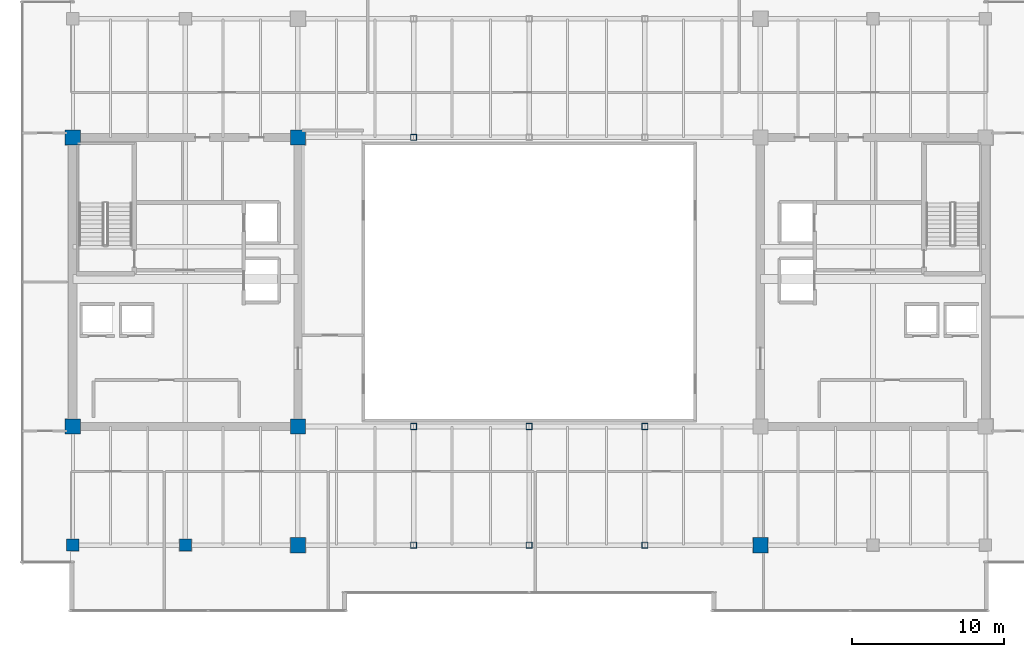
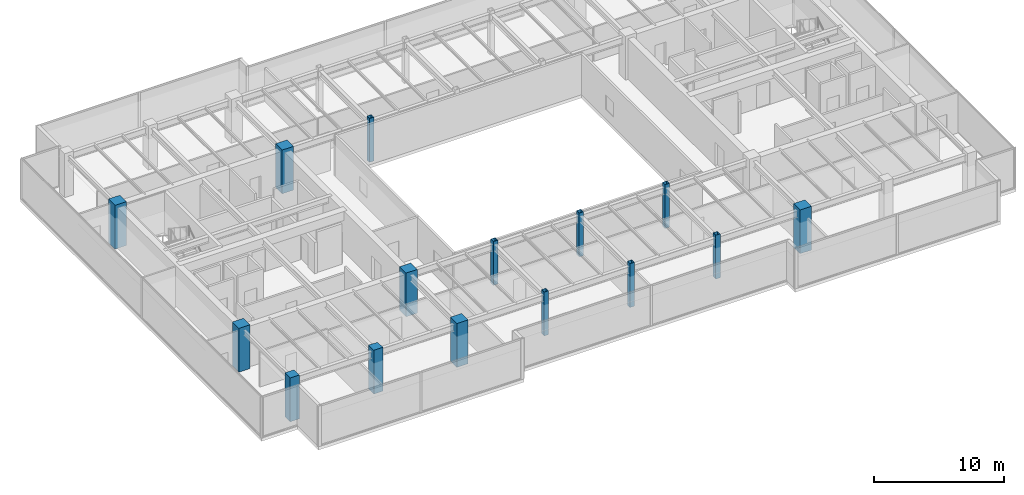
# One storey, part 1 of 36: 15 columns.
"""IFC4 building model written with IfcOpenShell, lengths in metres."""

from ifc_helpers import new_model, si_unit, direction, frame, origin, origin_2d, place, context, subcontext, project, spatial, rectangle, hollow_rectangle, extrude, source, transform, mapped, material, material_profile, profile_set, type_object, type_shapes, element, save


model = new_model("IFC4")

# Units and contexts
model_context = context("Model", 3, precision=1e-05, world=origin(), true_north=direction((0.0, 1.0)))
body_context = subcontext(model_context, "Body", "Model", "MODEL_VIEW")
ifc_project = project(units=[si_unit("LENGTHUNIT", "METRE"), si_unit("AREAUNIT", "SQUARE_METRE"), si_unit("VOLUMEUNIT", "CUBIC_METRE"), si_unit("PLANEANGLEUNIT", "RADIAN"), si_unit("MASSUNIT", "GRAM", prefix="KILO")], contexts=[model_context])

# Site, building, storey
site_placement = place(None, origin())
site = spatial("IfcSite", under=ifc_project, at=site_placement, CompositionType="ELEMENT")
building_placement = place(site_placement, origin())
building = spatial("IfcBuilding", under=site, at=building_placement, Name="Haelvirn Gate Laboratories", CompositionType="ELEMENT")
storey_placement = place(building_placement, frame((0.0, 0.0, 262.89990234375)))
storey = spatial("IfcBuildingStorey", under=building, at=storey_placement, Name="L63", CompositionType="ELEMENT", Elevation=262.89990234375)

# Columns
ifc_material_1 = material(Name="Concrete C60/75", Category="concrete")
ifc_material_profile_1 = material_profile(ifc_material_1, rectangle(XDim=1.0, YDim=1.0, at=origin_2d()), Name="RC-1000x1000")
ifc_profile_set_1 = profile_set([ifc_material_profile_1], Name="Concrete C60/75")
column_type_1 = type_object("IfcColumnType", Name="COL-RC-1000", PredefinedType="COLUMN", material=ifc_profile_set_1)
shared_shape_1 = source(origin(), body_context, "Body", "SweptSolid", [
    extrude(rectangle(XDim=1.0, YDim=1.0, at=origin_2d()), origin(), (0.0, 0.0, 1.0), 4.10009765625),
])
type_shapes(column_type_1, [shared_shape_1])
for number, where, z_axis, x_axis, name in (
    (1, (22.199951171875, 7.0, 0.0), (0.0, 0.0, 1.0), (1.0, 0.0, 0.0), "L63 Column 4B"),
    (2, (7.39990234375, 14.800048828125, 0.0), (0.0, 0.0, 1.0), (1.0, 0.0, 0.0), "L63 Column 2C"),
    (3, (22.199951171875, 14.800048828125, 0.0), (0.0, 0.0, 1.0), (1.0, 0.0, 0.0), "L63 Column 4C"),
    (4, (7.39990234375, 33.800048828125, 0.0), (0.0, 0.0, 1.0), (1.0, 0.0, 0.0), "L63 Column 2F"),
    (5, (22.199951171875, 33.800048828125, 0.0), (0.0, 0.0, 1.0), (1.0, 0.0, 0.0), "L63 Column 4F"),
    (6, (52.60009765625, 7.0, 0.0), (0.0, 0.0, 1.0), (1.0, 0.0, 0.0), "L63 Column 8B"),
):
    element("IfcColumn", number, at=place(storey_placement, frame(where, z_axis=z_axis, x_axis=x_axis)), inside=storey, type_object=column_type_1, Name=name, PredefinedType="COLUMN", context=body_context, shape_type="MappedRepresentation", body=[
        mapped(shared_shape_1, transform((0.0, 0.0, 0.0), scale=1.0)),
    ])
ifc_material_2 = material(Name="Concrete C50/60", Category="concrete")
ifc_material_profile_2 = material_profile(ifc_material_2, rectangle(XDim=0.800048828125, YDim=0.800048828125, at=origin_2d()), Name="RC-800x800")
ifc_profile_set_2 = profile_set([ifc_material_profile_2], Name="Concrete C50/60")
column_type_2 = type_object("IfcColumnType", Name="COL-RC-800", PredefinedType="COLUMN", material=ifc_profile_set_2)
shared_shape_2 = source(origin(), body_context, "Body", "SweptSolid", [
    extrude(rectangle(XDim=0.800048828125, YDim=0.800048828125, at=origin_2d()), origin(), (0.0, 0.0, 1.0), 4.10009765625),
])
type_shapes(column_type_2, [shared_shape_2])
for number, where, z_axis, x_axis, name in (
    (7, (14.800048828125, 7.0, 0.0), (0.0, 0.0, 1.0), (1.0, 0.0, 0.0), "L63 Column 3B"),
    (8, (7.39990234375, 7.0, 0.0), (0.0, 0.0, 1.0), (1.0, 0.0, 0.0), "L63 Column 2B"),
):
    element("IfcColumn", number, at=place(storey_placement, frame(where, z_axis=z_axis, x_axis=x_axis)), inside=storey, type_object=column_type_2, Name=name, PredefinedType="COLUMN", context=body_context, shape_type="MappedRepresentation", body=[
        mapped(shared_shape_2, transform((0.0, 0.0, 0.0), scale=1.0)),
    ])
ifc_material_3 = material(Name="Steel SM355", Category="steel")
ifc_material_profile_3 = material_profile(ifc_material_3, hollow_rectangle(XDim=0.39990234375, YDim=0.39990234375, WallThickness=0.01904296875, at=origin_2d()), Name="BOX-400x400x19")
ifc_profile_set_3 = profile_set([ifc_material_profile_3], Name="Steel SM355")
column_type_3 = type_object("IfcColumnType", Name="COL-BOX-400", PredefinedType="COLUMN", material=ifc_profile_set_3)
shared_shape_3 = source(origin(), body_context, "Body", "SweptSolid", [
    extrude(hollow_rectangle(XDim=0.39990234375, YDim=0.39990234375, WallThickness=0.01904296875, at=origin_2d()), origin(), (0.0, 0.0, 1.0), 4.10009765625),
])
type_shapes(column_type_3, [shared_shape_3])
for number, where, z_axis, x_axis, name in (
    (9, (29.800048828125, 7.0, 0.0), (0.0, 0.0, 1.0), (1.0, 0.0, 0.0), "L63 Column 5B"),
    (10, (29.800048828125, 14.800048828125, 0.0), (0.0, 0.0, 1.0), (1.0, 0.0, 0.0), "L63 Column 5C"),
    (11, (29.800048828125, 33.800048828125, 0.0), (0.0, 0.0, 1.0), (1.0, 0.0, 0.0), "L63 Column 5F"),
    (12, (37.39990234375, 7.0, 0.0), (0.0, 0.0, 1.0), (1.0, 0.0, 0.0), "L63 Column 6B"),
    (13, (37.39990234375, 14.800048828125, 0.0), (0.0, 0.0, 1.0), (1.0, 0.0, 0.0), "L63 Column 6C"),
    (14, (45.0, 7.0, 0.0), (0.0, 0.0, 1.0), (1.0, 0.0, 0.0), "L63 Column 7B"),
    (15, (45.0, 14.800048828125, 0.0), (0.0, 0.0, 1.0), (1.0, 0.0, 0.0), "L63 Column 7C"),
):
    element("IfcColumn", number, at=place(storey_placement, frame(where, z_axis=z_axis, x_axis=x_axis)), inside=storey, type_object=column_type_3, Name=name, PredefinedType="COLUMN", context=body_context, shape_type="MappedRepresentation", body=[
        mapped(shared_shape_3, transform((0.0, 0.0, 0.0), scale=1.0)),
    ])

save(model, "model.ifc")
